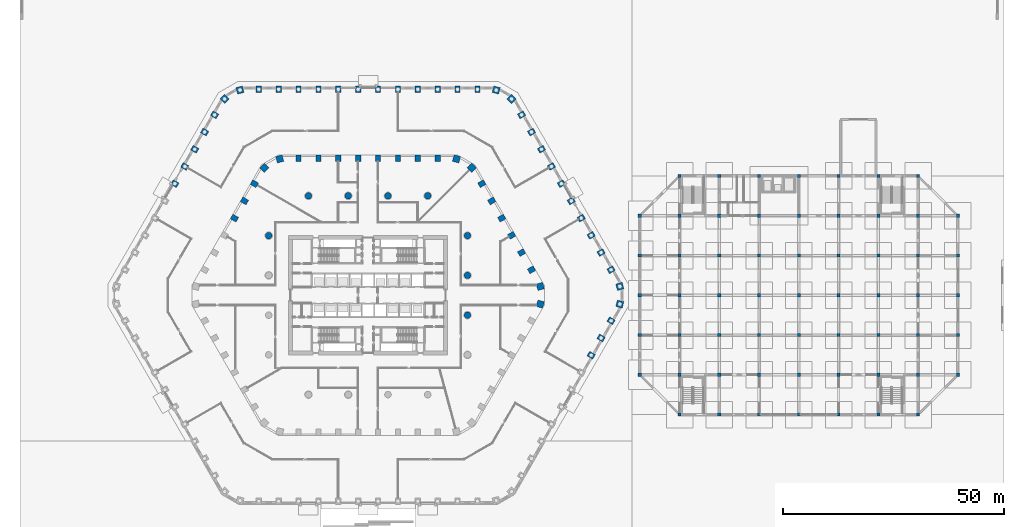
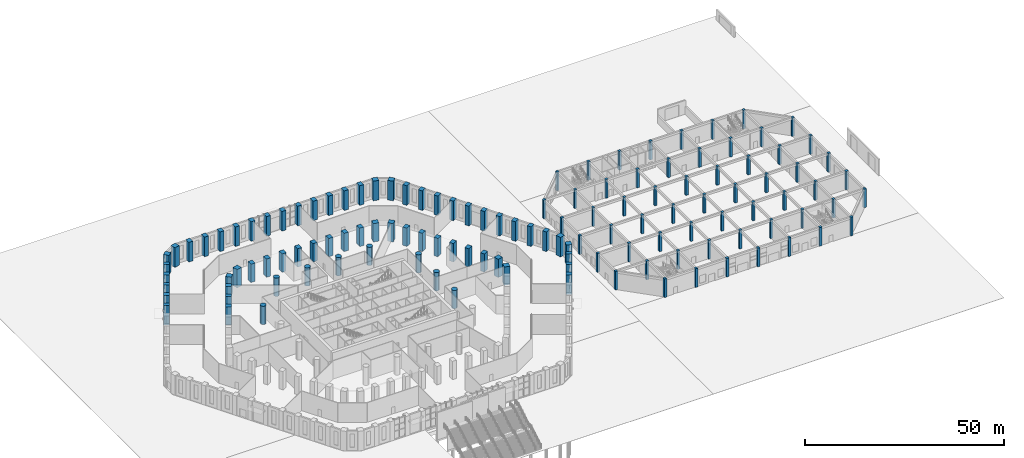
# One storey, part 3 of 44: 126 columns.
"""IFC4 building model written with IfcOpenShell, lengths in metres."""

from ifc_helpers import new_model, si_unit, direction, frame, origin, origin_2d, place, context, subcontext, project, spatial, rectangle, circle, extrude, material, material_profile, profile_set, type_object, element, save


model = new_model("IFC4")

# Units and contexts
model_context = context("Model", 3, precision=1e-05, world=origin(), true_north=direction((0.0, 1.0)))
body_context = subcontext(model_context, "Body", "Model", "MODEL_VIEW")
ifc_project = project(units=[si_unit("LENGTHUNIT", "METRE"), si_unit("AREAUNIT", "SQUARE_METRE"), si_unit("VOLUMEUNIT", "CUBIC_METRE"), si_unit("PLANEANGLEUNIT", "RADIAN"), si_unit("MASSUNIT", "GRAM", prefix="KILO")], contexts=[model_context])

# Site, building, storey
site_placement = place(None, origin())
site = spatial("IfcSite", under=ifc_project, at=site_placement, CompositionType="ELEMENT")
building_placement = place(site_placement, origin())
building = spatial("IfcBuilding", under=site, at=building_placement, Name="Dhurran Vertical Campus", CompositionType="ELEMENT")
storey_placement = place(building_placement, origin())
storey = spatial("IfcBuildingStorey", under=building, at=storey_placement, Name="L00", CompositionType="ELEMENT", Elevation=0.0)

# Columns
ifc_material_1 = material(Name="Concrete C70/85", Category="concrete")
ifc_material_profile_1 = material_profile(ifc_material_1, rectangle(XDim=1.199951171875, YDim=1.5, at=origin_2d()), Name="RC 1200x1500")
ifc_profile_set_1 = profile_set([ifc_material_profile_1], Name="Concrete C70/85")
column_type_1 = type_object("IfcColumnType", Name="FR COL RC 1200x1500 C70/85", PredefinedType="COLUMN", material=ifc_profile_set_1)
for number, where, z_axis, x_axis, name in (
    (1, (50.49755859375, -13.56640625, 0.0), (0.0, 0.0, 1.0), (0.5, 0.866025403784, 0.0), "Perimeter pier PO0.22"),
    (2, (52.74755859375, -9.669189453125, 0.0), (0.0, 0.0, 1.0), (0.5, 0.866025403784, 0.0), "Perimeter pier PO0.23"),
    (3, (54.99755859375, -5.772216796875, 0.0), (0.0, 0.0, 1.0), (0.5, 0.866025403784, 0.0), "Perimeter pier PO0.24"),
    (4, (54.99755859375, 5.772216796875, 0.0), (0.0, 0.0, 1.0), (-0.5, 0.866025403784, 0.0), "Perimeter pier PO0.27"),
    (5, (52.74755859375, 9.669189453125, 0.0), (0.0, 0.0, 1.0), (-0.5, 0.866025403784, 0.0), "Perimeter pier PO0.28"),
    (6, (50.49755859375, 13.56640625, 0.0), (0.0, 0.0, 1.0), (-0.5, 0.866025403784, 0.0), "Perimeter pier PO0.29"),
    (7, (48.24755859375, 17.46337890625, 0.0), (0.0, 0.0, 1.0), (-0.5, 0.866025403784, 0.0), "Perimeter pier PO0.30"),
    (8, (45.99755859375, 21.360595703125, 0.0), (0.0, 0.0, 1.0), (-0.5, 0.866025403784, 0.0), "Perimeter pier PO0.31"),
    (9, (43.74755859375, 25.2578125, 0.0), (0.0, 0.0, 1.0), (-0.5, 0.866025403784, 0.0), "Perimeter pier PO0.32"),
    (10, (41.49755859375, 29.15478515625, 0.0), (0.0, 0.0, 1.0), (-0.5, 0.866025403784, 0.0), "Perimeter pier PO0.33"),
    (11, (39.24755859375, 33.052001953125, 0.0), (0.0, 0.0, 1.0), (-0.5, 0.866025403784, 0.0), "Perimeter pier PO0.34"),
    (12, (36.99755859375, 36.948974609375, 0.0), (0.0, 0.0, 1.0), (-0.5, 0.866025403784, 0.0), "Perimeter pier PO0.35"),
    (13, (34.74755859375, 40.84619140625, 0.0), (0.0, 0.0, 1.0), (-0.5, 0.866025403784, 0.0), "Perimeter pier PO0.36"),
    (14, (24.75, 46.618408203125, 0.0), (0.0, 0.0, 1.0), (-1.0, 0.0, 0.0), "Perimeter pier PO0.39"),
    (15, (20.25, 46.618408203125, 0.0), (0.0, 0.0, 1.0), (-1.0, 0.0, 0.0), "Perimeter pier PO0.40"),
    (16, (15.75, 46.618408203125, 0.0), (0.0, 0.0, 1.0), (-1.0, 0.0, 0.0), "Perimeter pier PO0.41"),
    (17, (11.25, 46.618408203125, 0.0), (0.0, 0.0, 1.0), (-1.0, 0.0, 0.0), "Perimeter pier PO0.42"),
    (18, (6.75, 46.618408203125, 0.0), (0.0, 0.0, 1.0), (-1.0, 0.0, 0.0), "Perimeter pier PO0.43"),
    (19, (2.25, 46.618408203125, 0.0), (0.0, 0.0, 1.0), (-1.0, 0.0, 0.0), "Perimeter pier PO0.44"),
    (20, (-2.25, 46.618408203125, 0.0), (0.0, 0.0, 1.0), (-1.0, 0.0, 0.0), "Perimeter pier PO0.45"),
    (21, (-6.75, 46.618408203125, 0.0), (0.0, 0.0, 1.0), (-1.0, 0.0, 0.0), "Perimeter pier PO0.46"),
    (22, (-11.25, 46.618408203125, 0.0), (0.0, 0.0, 1.0), (-1.0, 0.0, 0.0), "Perimeter pier PO0.47"),
    (23, (-15.75, 46.618408203125, 0.0), (0.0, 0.0, 1.0), (-1.0, 0.0, 0.0), "Perimeter pier PO0.48"),
    (24, (-20.25, 46.618408203125, 0.0), (0.0, 0.0, 1.0), (-1.0, 0.0, 0.0), "Perimeter pier PO0.49"),
    (25, (-24.75, 46.618408203125, 0.0), (0.0, 0.0, 1.0), (-1.0, 0.0, 0.0), "Perimeter pier PO0.50"),
    (26, (-34.74755859375, 40.84619140625, 0.0), (0.0, 0.0, 1.0), (-0.5, -0.866025403784, 0.0), "Perimeter pier PO0.53"),
    (27, (-36.99755859375, 36.948974609375, 0.0), (0.0, 0.0, 1.0), (-0.5, -0.866025403784, 0.0), "Perimeter pier PO0.54"),
    (28, (-39.24755859375, 33.052001953125, 0.0), (0.0, 0.0, 1.0), (-0.5, -0.866025403784, 0.0), "Perimeter pier PO0.55"),
    (29, (-41.49755859375, 29.15478515625, 0.0), (0.0, 0.0, 1.0), (-0.5, -0.866025403784, 0.0), "Perimeter pier PO0.56"),
    (30, (-43.74755859375, 25.2578125, 0.0), (0.0, 0.0, 1.0), (-0.5, -0.866025403784, 0.0), "Perimeter pier PO0.57"),
):
    element("IfcColumn", number, at=place(storey_placement, frame(where, z_axis=z_axis, x_axis=x_axis)), inside=storey, type_object=column_type_1, Name=name, PredefinedType="COLUMN", context=body_context, shape_type="SweptSolid", body=[
        extrude(rectangle(XDim=1.199951171875, YDim=1.5, at=origin_2d()), origin(), (0.0, 0.0, 1.0), 6.0),
    ])
for number, where, z_axis, x_axis, name in (
    (31, (36.99755859375, 5.772216796875, 0.0), (0.0, 0.0, 1.0), (-0.5, 0.866025403784, 0.0), "Perimeter pier PP0.19"),
    (32, (34.74755859375, 9.669189453125, 0.0), (0.0, 0.0, 1.0), (-0.5, 0.866025403784, 0.0), "Perimeter pier PP0.20"),
    (33, (32.49755859375, 13.56640625, 0.0), (0.0, 0.0, 1.0), (-0.5, 0.866025403784, 0.0), "Perimeter pier PP0.21"),
    (34, (30.24755859375, 17.46337890625, 0.0), (0.0, 0.0, 1.0), (-0.5, 0.866025403784, 0.0), "Perimeter pier PP0.22"),
    (35, (27.99755859375, 21.360595703125, 0.0), (0.0, 0.0, 1.0), (-0.5, 0.866025403784, 0.0), "Perimeter pier PP0.23"),
    (36, (25.74755859375, 25.2578125, 0.0), (0.0, 0.0, 1.0), (-0.5, 0.866025403784, 0.0), "Perimeter pier PP0.24"),
    (37, (15.75, 31.02978515625, 0.0), (0.0, 0.0, 1.0), (-1.0, 0.0, 0.0), "Perimeter pier PP0.27"),
    (38, (11.25, 31.02978515625, 0.0), (0.0, 0.0, 1.0), (-1.0, 0.0, 0.0), "Perimeter pier PP0.28"),
    (39, (6.75, 31.02978515625, 0.0), (0.0, 0.0, 1.0), (-1.0, 0.0, 0.0), "Perimeter pier PP0.29"),
    (40, (2.25, 31.02978515625, 0.0), (0.0, 0.0, 1.0), (-1.0, 0.0, 0.0), "Perimeter pier PP0.30"),
    (41, (-2.25, 31.02978515625, 0.0), (0.0, 0.0, 1.0), (-1.0, 0.0, 0.0), "Perimeter pier PP0.31"),
    (42, (-6.75, 31.02978515625, 0.0), (0.0, 0.0, 1.0), (-1.0, 0.0, 0.0), "Perimeter pier PP0.32"),
    (43, (-11.25, 31.02978515625, 0.0), (0.0, 0.0, 1.0), (-1.0, 0.0, 0.0), "Perimeter pier PP0.33"),
    (44, (-15.75, 31.02978515625, 0.0), (0.0, 0.0, 1.0), (-1.0, 0.0, 0.0), "Perimeter pier PP0.34"),
    (45, (-25.74755859375, 25.2578125, 0.0), (0.0, 0.0, 1.0), (-0.5, -0.866025403784, 0.0), "Perimeter pier PP0.37"),
    (46, (-27.99755859375, 21.360595703125, 0.0), (0.0, 0.0, 1.0), (-0.5, -0.866025403784, 0.0), "Perimeter pier PP0.38"),
    (47, (-30.24755859375, 17.46337890625, 0.0), (0.0, 0.0, 1.0), (-0.5, -0.866025403784, 0.0), "Perimeter pier PP0.39"),
):
    element("IfcColumn", number, at=place(storey_placement, frame(where, z_axis=z_axis, x_axis=x_axis)), inside=storey, type_object=column_type_1, Name=name, PredefinedType="COLUMN", context=body_context, shape_type="SweptSolid", body=[
        extrude(rectangle(XDim=1.199951171875, YDim=1.5, at=origin_2d()), origin(), (0.0, 0.0, 1.0), 5.60009765625),
    ])
ifc_material_2 = material(Name="Concrete C70/85", Category="concrete")
ifc_material_profile_2 = material_profile(ifc_material_2, rectangle(XDim=1.5, YDim=1.5, at=origin_2d()), Name="RC 1500x1500")
ifc_profile_set_2 = profile_set([ifc_material_profile_2], Name="Concrete C70/85")
column_type_2 = type_object("IfcColumnType", Name="FR COL RC 1500x1500 C70/85", PredefinedType="COLUMN", material=ifc_profile_set_2)
for number, where, z_axis, x_axis, name in (
    (48, (56.978515625, -2.00390625, 0.0), (0.0, 0.0, 1.0), (0.258819045103, 0.965925826289, 0.0), "Perimeter pier PO0.25"),
    (49, (56.978515625, 2.00390625, 0.0), (0.0, 0.0, 1.0), (-0.258819045103, 0.965925826289, 0.0), "Perimeter pier PO0.26"),
    (50, (32.474609375, 44.44580078125, 0.0), (0.0, 0.0, 1.0), (-0.707106781187, 0.707106781187, 0.0), "Perimeter pier PO0.37"),
    (51, (29.00390625, 46.44970703125, 0.0), (0.0, 0.0, 1.0), (-0.965925826289, 0.258819045103, 0.0), "Perimeter pier PO0.38"),
    (52, (-29.00390625, 46.44970703125, 0.0), (0.0, 0.0, 1.0), (-0.965925826289, -0.258819045103, 0.0), "Perimeter pier PO0.51"),
    (53, (-32.474609375, 44.44580078125, 0.0), (0.0, 0.0, 1.0), (-0.707106781187, -0.707106781187, 0.0), "Perimeter pier PO0.52"),
):
    element("IfcColumn", number, at=place(storey_placement, frame(where, z_axis=z_axis, x_axis=x_axis)), inside=storey, type_object=column_type_2, Name=name, PredefinedType="COLUMN", context=body_context, shape_type="SweptSolid", body=[
        extrude(rectangle(XDim=1.5, YDim=1.5, at=origin_2d()), origin(), (0.0, 0.0, 1.0), 6.0),
    ])
for number, where, z_axis, x_axis, name in (
    (54, (38.978515625, -2.00390625, 0.0), (0.0, 0.0, 1.0), (0.258819045103, 0.965925826289, 0.0), "Perimeter pier PP0.17"),
    (55, (38.978515625, 2.00390625, 0.0), (0.0, 0.0, 1.0), (-0.258819045103, 0.965925826289, 0.0), "Perimeter pier PP0.18"),
    (56, (23.474609375, 28.857421875, 0.0), (0.0, 0.0, 1.0), (-0.707106781187, 0.707106781187, 0.0), "Perimeter pier PP0.25"),
    (57, (20.00390625, 30.861083984375, 0.0), (0.0, 0.0, 1.0), (-0.965925826289, 0.258819045103, 0.0), "Perimeter pier PP0.26"),
    (58, (-20.00390625, 30.861083984375, 0.0), (0.0, 0.0, 1.0), (-0.965925826289, -0.258819045103, 0.0), "Perimeter pier PP0.35"),
    (59, (-23.474609375, 28.857421875, 0.0), (0.0, 0.0, 1.0), (-0.707106781187, -0.707106781187, 0.0), "Perimeter pier PP0.36"),
):
    element("IfcColumn", number, at=place(storey_placement, frame(where, z_axis=z_axis, x_axis=x_axis)), inside=storey, type_object=column_type_2, Name=name, PredefinedType="COLUMN", context=body_context, shape_type="SweptSolid", body=[
        extrude(rectangle(XDim=1.5, YDim=1.5, at=origin_2d()), origin(), (0.0, 0.0, 1.0), 5.60009765625),
    ])
ifc_material_3 = material(Name="Concrete C70/85", Category="concrete")
ifc_material_profile_3 = material_profile(ifc_material_3, circle(Radius=0.75, at=origin_2d()), Name="RCC D1500")
ifc_profile_set_3 = profile_set([ifc_material_profile_3], Name="Concrete C70/85")
column_type_3 = type_object("IfcColumnType", Name="FR COL RCC D1500 C70/85", PredefinedType="COLUMN", material=ifc_profile_set_3)
for number, where, z_axis, x_axis, name in (
    (60, (-22.5, 13.5, 0.0), (0.0, 0.0, 1.0), (1.0, 0.0, 0.0), "Inner column IC0-D7"),
    (61, (-13.5, 22.5, 0.0), (0.0, 0.0, 1.0), (1.0, 0.0, 0.0), "Inner column IC0-E8"),
    (62, (-4.5, 22.5, 0.0), (0.0, 0.0, 1.0), (1.0, 0.0, 0.0), "Inner column IC0-F8"),
    (63, (4.5, 22.5, 0.0), (0.0, 0.0, 1.0), (1.0, 0.0, 0.0), "Inner column IC0-G8"),
    (64, (13.5, 22.5, 0.0), (0.0, 0.0, 1.0), (1.0, 0.0, 0.0), "Inner column IC0-H8"),
    (65, (22.5, -4.5, 0.0), (0.0, 0.0, 1.0), (1.0, 0.0, 0.0), "Inner column IC0-J5"),
    (66, (22.5, 4.5, 0.0), (0.0, 0.0, 1.0), (1.0, 0.0, 0.0), "Inner column IC0-J6"),
    (67, (22.5, 13.5, 0.0), (0.0, 0.0, 1.0), (1.0, 0.0, 0.0), "Inner column IC0-J7"),
):
    element("IfcColumn", number, at=place(storey_placement, frame(where, z_axis=z_axis, x_axis=x_axis)), inside=storey, type_object=column_type_3, Name=name, PredefinedType="COLUMN", context=body_context, shape_type="SweptSolid", body=[
        extrude(circle(Radius=0.75, at=origin_2d()), origin(), (0.0, 0.0, 1.0), 5.60009765625),
    ])
ifc_material_4 = material(Name="Concrete C50/60", Category="concrete")
ifc_material_profile_4 = material_profile(ifc_material_4, rectangle(XDim=0.699951171875, YDim=0.699951171875, at=origin_2d()), Name="hl-column 700x700 C50/60")
ifc_profile_set_4 = profile_set([ifc_material_profile_4], Name="Concrete C50/60")
column_type_4 = type_object("IfcColumnType", Name="hl-column 700x700 C50/60", PredefinedType="COLUMN", material=ifc_profile_set_4)
for number, where, z_axis, x_axis, name in (
    (68, (70.5, -27.0, 0.0), (0.0, 0.0, 1.0), (1.0, 0.0, 0.0), "Hall column HB1 L00"),
    (69, (79.5, -27.0, 0.0), (0.0, 0.0, 1.0), (1.0, 0.0, 0.0), "Hall column HC1 L00"),
    (70, (88.5, -27.0, 0.0), (0.0, 0.0, 1.0), (1.0, 0.0, 0.0), "Hall column HD1 L00"),
    (71, (97.5, -27.0, 0.0), (0.0, 0.0, 1.0), (1.0, 0.0, 0.0), "Hall column HE1 L00"),
    (72, (106.5, -27.0, 0.0), (0.0, 0.0, 1.0), (1.0, 0.0, 0.0), "Hall column HF1 L00"),
    (73, (115.5, -27.0, 0.0), (0.0, 0.0, 1.0), (1.0, 0.0, 0.0), "Hall column HG1 L00"),
    (74, (124.5, -27.0, 0.0), (0.0, 0.0, 1.0), (1.0, 0.0, 0.0), "Hall column HH1 L00"),
    (75, (61.5, -18.0, 0.0), (0.0, 0.0, 1.0), (1.0, 0.0, 0.0), "Hall column HA2 L00"),
    (76, (70.5, -18.0, 0.0), (0.0, 0.0, 1.0), (1.0, 0.0, 0.0), "Hall column HB2 L00"),
    (77, (79.5, -18.0, 0.0), (0.0, 0.0, 1.0), (1.0, 0.0, 0.0), "Hall column HC2 L00"),
    (78, (88.5, -18.0, 0.0), (0.0, 0.0, 1.0), (1.0, 0.0, 0.0), "Hall column HD2 L00"),
    (79, (97.5, -18.0, 0.0), (0.0, 0.0, 1.0), (1.0, 0.0, 0.0), "Hall column HE2 L00"),
    (80, (106.5, -18.0, 0.0), (0.0, 0.0, 1.0), (1.0, 0.0, 0.0), "Hall column HF2 L00"),
    (81, (115.5, -18.0, 0.0), (0.0, 0.0, 1.0), (1.0, 0.0, 0.0), "Hall column HG2 L00"),
    (82, (124.5, -18.0, 0.0), (0.0, 0.0, 1.0), (1.0, 0.0, 0.0), "Hall column HH2 L00"),
    (83, (133.5, -18.0, 0.0), (0.0, 0.0, 1.0), (1.0, 0.0, 0.0), "Hall column HJ2 L00"),
    (84, (61.5, -9.0, 0.0), (0.0, 0.0, 1.0), (1.0, 0.0, 0.0), "Hall column HA3 L00"),
    (85, (70.5, -9.0, 0.0), (0.0, 0.0, 1.0), (1.0, 0.0, 0.0), "Hall column HB3 L00"),
    (86, (79.5, -9.0, 0.0), (0.0, 0.0, 1.0), (1.0, 0.0, 0.0), "Hall column HC3 L00"),
    (87, (88.5, -9.0, 0.0), (0.0, 0.0, 1.0), (1.0, 0.0, 0.0), "Hall column HD3 L00"),
    (88, (97.5, -9.0, 0.0), (0.0, 0.0, 1.0), (1.0, 0.0, 0.0), "Hall column HE3 L00"),
    (89, (106.5, -9.0, 0.0), (0.0, 0.0, 1.0), (1.0, 0.0, 0.0), "Hall column HF3 L00"),
    (90, (115.5, -9.0, 0.0), (0.0, 0.0, 1.0), (1.0, 0.0, 0.0), "Hall column HG3 L00"),
    (91, (124.5, -9.0, 0.0), (0.0, 0.0, 1.0), (1.0, 0.0, 0.0), "Hall column HH3 L00"),
    (92, (133.5, -9.0, 0.0), (0.0, 0.0, 1.0), (1.0, 0.0, 0.0), "Hall column HJ3 L00"),
    (93, (61.5, 0.0, 0.0), (0.0, 0.0, 1.0), (1.0, 0.0, 0.0), "Hall column HA4 L00"),
    (94, (70.5, 0.0, 0.0), (0.0, 0.0, 1.0), (1.0, 0.0, 0.0), "Hall column HB4 L00"),
    (95, (79.5, 0.0, 0.0), (0.0, 0.0, 1.0), (1.0, 0.0, 0.0), "Hall column HC4 L00"),
    (96, (88.5, 0.0, 0.0), (0.0, 0.0, 1.0), (1.0, 0.0, 0.0), "Hall column HD4 L00"),
    (97, (97.5, 0.0, 0.0), (0.0, 0.0, 1.0), (1.0, 0.0, 0.0), "Hall column HE4 L00"),
    (98, (106.5, 0.0, 0.0), (0.0, 0.0, 1.0), (1.0, 0.0, 0.0), "Hall column HF4 L00"),
    (99, (115.5, 0.0, 0.0), (0.0, 0.0, 1.0), (1.0, 0.0, 0.0), "Hall column HG4 L00"),
    (100, (124.5, 0.0, 0.0), (0.0, 0.0, 1.0), (1.0, 0.0, 0.0), "Hall column HH4 L00"),
    (101, (133.5, 0.0, 0.0), (0.0, 0.0, 1.0), (1.0, 0.0, 0.0), "Hall column HJ4 L00"),
    (102, (61.5, 9.0, 0.0), (0.0, 0.0, 1.0), (1.0, 0.0, 0.0), "Hall column HA5 L00"),
    (103, (70.5, 9.0, 0.0), (0.0, 0.0, 1.0), (1.0, 0.0, 0.0), "Hall column HB5 L00"),
    (104, (79.5, 9.0, 0.0), (0.0, 0.0, 1.0), (1.0, 0.0, 0.0), "Hall column HC5 L00"),
    (105, (88.5, 9.0, 0.0), (0.0, 0.0, 1.0), (1.0, 0.0, 0.0), "Hall column HD5 L00"),
    (106, (97.5, 9.0, 0.0), (0.0, 0.0, 1.0), (1.0, 0.0, 0.0), "Hall column HE5 L00"),
    (107, (106.5, 9.0, 0.0), (0.0, 0.0, 1.0), (1.0, 0.0, 0.0), "Hall column HF5 L00"),
    (108, (115.5, 9.0, 0.0), (0.0, 0.0, 1.0), (1.0, 0.0, 0.0), "Hall column HG5 L00"),
    (109, (124.5, 9.0, 0.0), (0.0, 0.0, 1.0), (1.0, 0.0, 0.0), "Hall column HH5 L00"),
    (110, (133.5, 9.0, 0.0), (0.0, 0.0, 1.0), (1.0, 0.0, 0.0), "Hall column HJ5 L00"),
    (111, (61.5, 18.0, 0.0), (0.0, 0.0, 1.0), (1.0, 0.0, 0.0), "Hall column HA6 L00"),
    (112, (70.5, 18.0, 0.0), (0.0, 0.0, 1.0), (1.0, 0.0, 0.0), "Hall column HB6 L00"),
    (113, (79.5, 18.0, 0.0), (0.0, 0.0, 1.0), (1.0, 0.0, 0.0), "Hall column HC6 L00"),
    (114, (88.5, 18.0, 0.0), (0.0, 0.0, 1.0), (1.0, 0.0, 0.0), "Hall column HD6 L00"),
    (115, (97.5, 18.0, 0.0), (0.0, 0.0, 1.0), (1.0, 0.0, 0.0), "Hall column HE6 L00"),
    (116, (106.5, 18.0, 0.0), (0.0, 0.0, 1.0), (1.0, 0.0, 0.0), "Hall column HF6 L00"),
    (117, (115.5, 18.0, 0.0), (0.0, 0.0, 1.0), (1.0, 0.0, 0.0), "Hall column HG6 L00"),
    (118, (124.5, 18.0, 0.0), (0.0, 0.0, 1.0), (1.0, 0.0, 0.0), "Hall column HH6 L00"),
    (119, (133.5, 18.0, 0.0), (0.0, 0.0, 1.0), (1.0, 0.0, 0.0), "Hall column HJ6 L00"),
    (120, (70.5, 27.0, 0.0), (0.0, 0.0, 1.0), (1.0, 0.0, 0.0), "Hall column HB7 L00"),
    (121, (79.5, 27.0, 0.0), (0.0, 0.0, 1.0), (1.0, 0.0, 0.0), "Hall column HC7 L00"),
    (122, (88.5, 27.0, 0.0), (0.0, 0.0, 1.0), (1.0, 0.0, 0.0), "Hall column HD7 L00"),
    (123, (97.5, 27.0, 0.0), (0.0, 0.0, 1.0), (1.0, 0.0, 0.0), "Hall column HE7 L00"),
    (124, (106.5, 27.0, 0.0), (0.0, 0.0, 1.0), (1.0, 0.0, 0.0), "Hall column HF7 L00"),
    (125, (115.5, 27.0, 0.0), (0.0, 0.0, 1.0), (1.0, 0.0, 0.0), "Hall column HG7 L00"),
    (126, (124.5, 27.0, 0.0), (0.0, 0.0, 1.0), (1.0, 0.0, 0.0), "Hall column HH7 L00"),
):
    element("IfcColumn", number, at=place(storey_placement, frame(where, z_axis=z_axis, x_axis=x_axis)), inside=storey, type_object=column_type_4, Name=name, PredefinedType="COLUMN", context=body_context, shape_type="SweptSolid", body=[
        extrude(rectangle(XDim=0.699951171875, YDim=0.699951171875, at=origin_2d()), origin(), (0.0, 0.0, 1.0), 5.719970703125),
    ])

save(model, "model.ifc")
